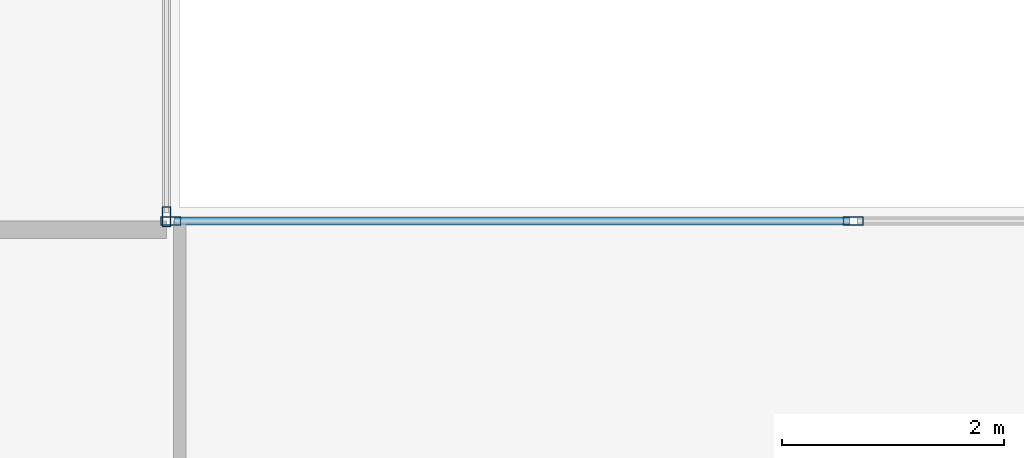
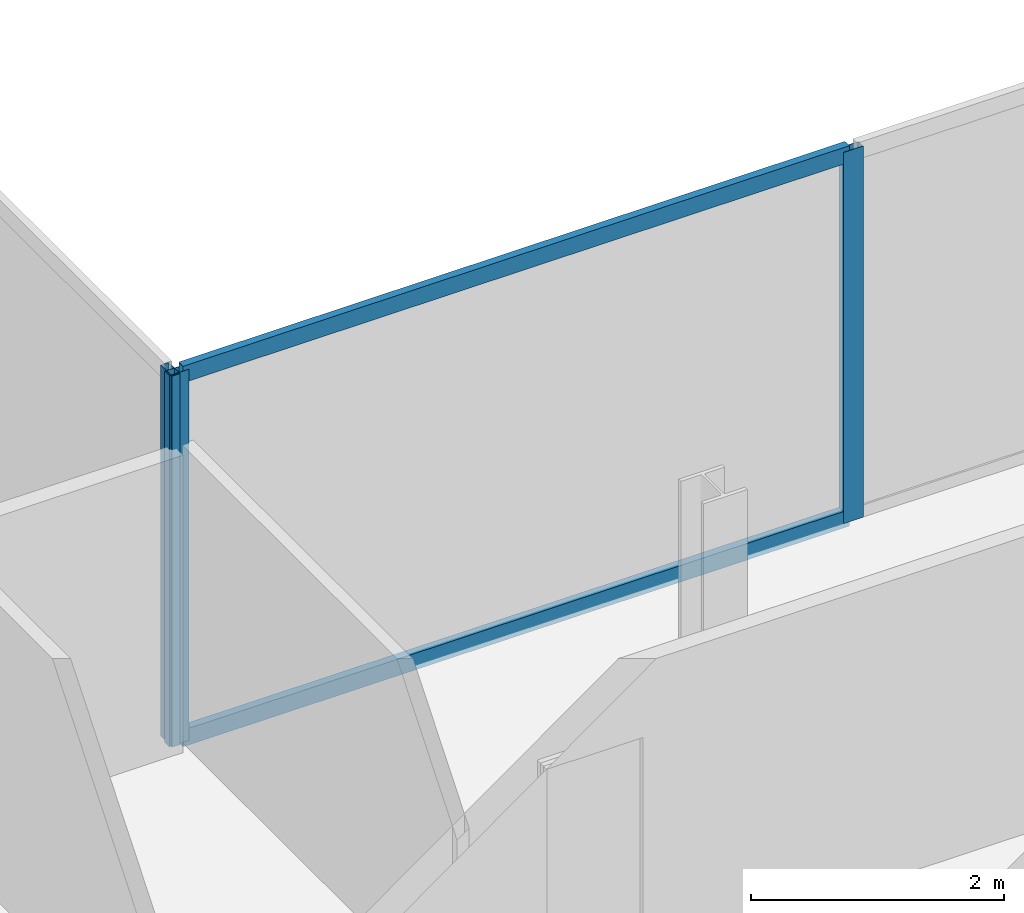
# One storey, part 7 of 24: 5 members, 2 elements without a shape of their own.
"""IFC4 building model written with IfcOpenShell, lengths in metres."""

from ifc_helpers import new_model, si_unit, direction, frame, origin, origin_2d, place, context, subcontext, project, spatial, hollow_rectangle, extrude, material, material_profile, profile_set, type_object, element, aggregate, save


model = new_model("IFC4")

# Units and contexts
model_context = context("Model", 3, precision=1e-05, world=origin(), true_north=direction((0.0, 1.0)))
body_context = subcontext(model_context, "Body", "Model", "MODEL_VIEW")
ifc_project = project(units=[si_unit("LENGTHUNIT", "METRE"), si_unit("AREAUNIT", "SQUARE_METRE"), si_unit("VOLUMEUNIT", "CUBIC_METRE"), si_unit("PLANEANGLEUNIT", "RADIAN"), si_unit("MASSUNIT", "GRAM", prefix="KILO")], contexts=[model_context])

# Site, building, storey
site_placement = place(None, origin())
site = spatial("IfcSite", under=ifc_project, at=site_placement, CompositionType="ELEMENT")
building_placement = place(site_placement, origin())
building = spatial("IfcBuilding", under=site, at=building_placement, Name="Cobrela Telecom Tower", CompositionType="ELEMENT")
storey_placement = place(building_placement, frame((0.0, 0.0, 152.25)))
storey = spatial("IfcBuildingStorey", under=building, at=storey_placement, Name="L38", CompositionType="ELEMENT", Elevation=152.25)

# Curtain wall, member
ifc_material = material(Name="Anodized Bronze Aluminium 6063-T6", Category="aluminium")
curtain_wall_type = type_object("IfcCurtainWallType", Name="CW-SYS-TEL", PredefinedType="USERDEFINED", material=ifc_material)
curtain_wall_1_placement = place(storey_placement, origin())
curtain_wall_1 = element("IfcCurtainWall", 1, at=curtain_wall_1_placement, inside=storey, type_object=curtain_wall_type, Name="L38 Unitised Bronze Curtain Wall 10", ObjectType="UNITISED CURTAIN WALL", PredefinedType="USERDEFINED")
ifc_material_profile_1 = material_profile(ifc_material, hollow_rectangle(XDim=0.074951171875, YDim=0.179931640625, WallThickness=0.00390625, at=origin_2d()), Name="ALU 75x180x4")
ifc_profile_set_1 = profile_set([ifc_material_profile_1], Name="Anodized Bronze Aluminium 6063-T6")
member_type_1 = type_object("IfcMemberType", Name="CW-SYS-TEL-MUL", PredefinedType="MULLION", material=ifc_profile_set_1)
member_1_placement = place(storey_placement, frame((25.8798828125, 25.117431640625, 0.0), z_axis=(0.0, 0.0, 1.0), x_axis=(1.0, 0.0, 0.0)))
member_1 = element("IfcMember", 2, at=member_1_placement, type_object=member_type_1, Name="CW-TEL mullion 3", PredefinedType="MULLION", context=body_context, shape_type="SweptSolid", body=[
    extrude(hollow_rectangle(XDim=0.074951171875, YDim=0.179931640625, WallThickness=0.00390625, at=origin_2d()), origin(), (0.0, 0.0, 1.0), 3.580078125),
])
aggregate(curtain_wall_1, [member_1])

# Curtain wall, members
curtain_wall_2_placement = place(storey_placement, origin())
curtain_wall_2 = element("IfcCurtainWall", 3, at=curtain_wall_2_placement, inside=storey, type_object=curtain_wall_type, Name="L38 Unitised Bronze Curtain Wall 11", ObjectType="UNITISED CURTAIN WALL", PredefinedType="USERDEFINED")
member_2_placement = place(storey_placement, frame((25.91748046875, 25.080078125, 0.0), z_axis=(0.0, 0.0, 1.0), x_axis=(0.0, 1.0, 0.0)))
member_2 = element("IfcMember", 4, at=member_2_placement, type_object=member_type_1, Name="CW-TEL mullion 1", PredefinedType="MULLION", context=body_context, shape_type="SweptSolid", body=[
    extrude(hollow_rectangle(XDim=0.074951171875, YDim=0.179931640625, WallThickness=0.00390625, at=origin_2d()), origin(), (0.0, 0.0, 1.0), 3.580078125),
])
member_3_placement = place(storey_placement, frame((32.070068359375, 25.080078125, 0.0), z_axis=(0.0, 0.0, 1.0), x_axis=(0.0, 1.0, 0.0)))
member_3 = element("IfcMember", 5, at=member_3_placement, type_object=member_type_1, Name="CW-TEL mullion 2", PredefinedType="MULLION", context=body_context, shape_type="SweptSolid", body=[
    extrude(hollow_rectangle(XDim=0.074951171875, YDim=0.179931640625, WallThickness=0.00390625, at=origin_2d()), origin(), (0.0, 0.0, 1.0), 3.580078125),
])
ifc_material_profile_2 = material_profile(ifc_material, hollow_rectangle(XDim=0.070068359375, YDim=0.159912109375, WallThickness=0.00390625, at=origin_2d()), Name="ALU 70x160x4")
ifc_profile_set_2 = profile_set([ifc_material_profile_2], Name="Anodized Bronze Aluminium 6063-T6")
member_type_2 = type_object("IfcMemberType", Name="CW-SYS-TEL-TRN", PredefinedType="USERDEFINED", material=ifc_profile_set_2)
member_4_placement = place(storey_placement, frame((25.955078125, 25.080078125, 0.034912109375), z_axis=(1.0, 0.0, 0.0), x_axis=(0.0, 1.0, 0.0)))
member_4 = element("IfcMember", 6, at=member_4_placement, type_object=member_type_2, Name="CW-TEL transom 1.1", ObjectType="TRANSOM", PredefinedType="USERDEFINED", context=body_context, shape_type="SweptSolid", body=[
    extrude(hollow_rectangle(XDim=0.070068359375, YDim=0.159912109375, WallThickness=0.00390625, at=origin_2d()), origin(), (0.0, 0.0, 1.0), 6.077392578125),
])
member_5_placement = place(storey_placement, frame((25.955078125, 25.080078125, 3.544921875), z_axis=(1.0, 0.0, 0.0), x_axis=(0.0, 1.0, 0.0)))
member_5 = element("IfcMember", 7, at=member_5_placement, type_object=member_type_2, Name="CW-TEL transom 1.2", ObjectType="TRANSOM", PredefinedType="USERDEFINED", context=body_context, shape_type="SweptSolid", body=[
    extrude(hollow_rectangle(XDim=0.070068359375, YDim=0.159912109375, WallThickness=0.00390625, at=origin_2d()), origin(), (0.0, 0.0, 1.0), 6.077392578125),
])
aggregate(curtain_wall_2, [member_2, member_3, member_4, member_5])

save(model, "model.ifc")
